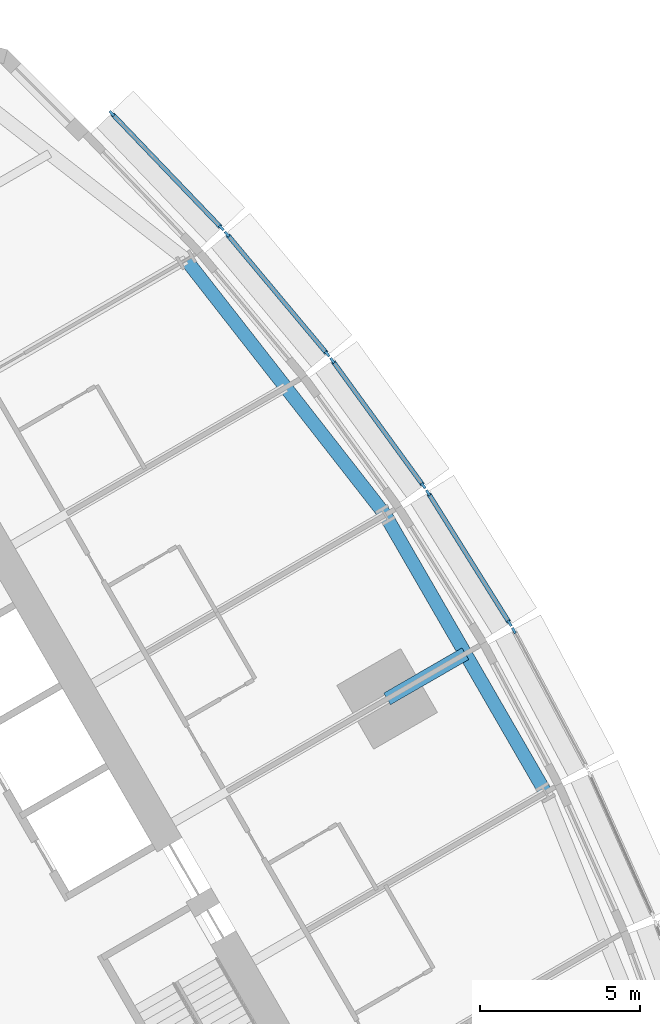
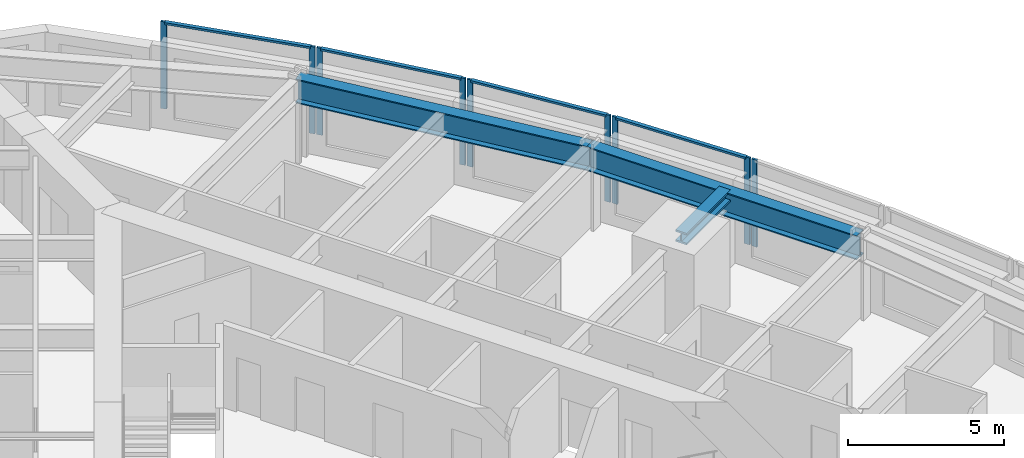
# One storey, part 5 of 14: 13 members, 3 beams, 5 elements without a shape of their own.
"""IFC4 building model written with IfcOpenShell, lengths in metres."""

import ifcopenshell
import ifcopenshell.guid

model = None  # the IFC model being written
_history = None  # IfcOwnerHistory: only IFC2X3 demands one
_inside = {}  # id of a spatial element -> (the spatial element, [elements in it])
_under = {}  # id of a project, library or spatial element -> (it, [spatial elements below it])
_declared = {}  # id of a project -> (the project, [libraries it declares])
_typed = {}  # id of a type object -> (the type object, [elements of that type])
_made_of = {}  # id of a material, layer set ... -> (it, [elements and type objects made of it])


def new_model(schema):
    """Start an empty IFC model of exactly this schema.

    Asked for "IFC4X3", IfcOpenShell would pick the latest addendum, in which some entities
    have other attributes; the version numbers below select the first issue.
    IFC2X3 requires an IfcOwnerHistory on every rooted entity: one is made here for all.
    """
    global model, _history
    if schema == "IFC4X3":
        model = ifcopenshell.file(schema_version=(4, 3, 0, 0))
    else:
        model = ifcopenshell.file(schema=schema)
    _inside.clear()
    _under.clear()
    _declared.clear()
    _typed.clear()
    _made_of.clear()
    _history = None
    if model.schema == "IFC2X3":
        org = make("IfcOrganization", Name="unknown")
        user = make(
            "IfcPersonAndOrganization",
            ThePerson=make("IfcPerson", FamilyName="unknown"),
            TheOrganization=org,
        )
        app = make(
            "IfcApplication",
            ApplicationDeveloper=org,
            Version="unknown",
            ApplicationFullName="unknown",
            ApplicationIdentifier="unknown",
        )
        _history = make(
            "IfcOwnerHistory",
            OwningUser=user,
            OwningApplication=app,
            ChangeAction="ADDED",
            CreationDate=0,
        )
    return model


def make(cls, **values):
    """One entity of the class cls with the attributes given. An attribute that is None is left unset."""
    return model.create_entity(
        cls, **{name: value for name, value in values.items() if value is not None}
    )


def rooted(cls, **values):
    """An entity with a GlobalId (a new one), such as an element, a storey or a relation."""
    return make(cls, GlobalId=ifcopenshell.guid.new(), OwnerHistory=_history, **values)


def si_unit(unit_type, name, prefix=None):
    """IfcSIUnit, for example si_unit("LENGTHUNIT", "METRE", prefix="MILLI")."""
    return make("IfcSIUnit", UnitType=unit_type, Prefix=prefix, Name=name)


def assignment(units):
    """IfcUnitAssignment: the units of a project."""
    return None if units is None else make("IfcUnitAssignment", Units=units)


def point(xyz):
    """IfcCartesianPoint."""
    return None if xyz is None else make("IfcCartesianPoint", Coordinates=xyz)


def direction(xyz):
    """IfcDirection."""
    return None if xyz is None else make("IfcDirection", DirectionRatios=xyz)


def frame(location, z_axis=None, x_axis=None):
    """IfcAxis2Placement3D, a coordinate frame: its origin and axes. An axis left out is left unset."""
    return make(
        "IfcAxis2Placement3D",
        Location=point(location),
        Axis=direction(z_axis),
        RefDirection=direction(x_axis),
    )


def frame_2d(location, x_axis=None):
    """IfcAxis2Placement2D, a coordinate frame in the plane: its origin and x axis."""
    return make(
        "IfcAxis2Placement2D", Location=point(location), RefDirection=direction(x_axis)
    )


def origin():
    """The frame at (0, 0, 0) with its axes left unset."""
    return frame((0.0, 0.0, 0.0))


def origin_2d():
    """The frame at (0, 0) in the plane with its x axis left unset."""
    return frame_2d((0.0, 0.0))


def place(relative_to, where):
    """IfcLocalPlacement: puts the frame where relative to a parent placement (None: the world)."""
    return make(
        "IfcLocalPlacement", PlacementRelTo=relative_to, RelativePlacement=where
    )


def context(
    kind, dimensions, precision=None, world=None, true_north=None, identifier=None
):
    """IfcGeometricRepresentationContext, for example the 3D "Model" context."""
    return make(
        "IfcGeometricRepresentationContext",
        ContextIdentifier=identifier,
        ContextType=kind,
        CoordinateSpaceDimension=dimensions,
        Precision=precision,
        WorldCoordinateSystem=world,
        TrueNorth=true_north,
    )


def subcontext(parent, identifier, kind, view, scale=None):
    """IfcGeometricRepresentationSubContext, for example "Body" below "Model"."""
    return make(
        "IfcGeometricRepresentationSubContext",
        ContextIdentifier=identifier,
        ContextType=kind,
        ParentContext=parent,
        TargetScale=scale,
        TargetView=view,
    )


def project(units=None, contexts=None):
    """IfcProject with its units and contexts."""
    return rooted(
        "IfcProject",
        Name="project",
        RepresentationContexts=contexts,
        UnitsInContext=assignment(units),
    )


def spatial(cls, under=None, at=None, **own):
    """A site, building, storey or space (cls), placed at a placement, below another one or the project."""
    s = rooted(cls, ObjectPlacement=at, **own)
    if under is not None:
        _under.setdefault(under.id(), (under, []))[1].append(s)
    return s


def profile(cls, at=None, kind="AREA", **sizes):
    """A parametric profile (cls). Its sizes go by their IFC names, for example OverallWidth=200.0."""
    return make(cls, ProfileType=kind, Position=at, **sizes)


def rectangle(**sizes):
    """IfcRectangleProfileDef."""
    return profile("IfcRectangleProfileDef", **sizes)


def i_section(**sizes):
    """IfcIShapeProfileDef."""
    return profile("IfcIShapeProfileDef", **sizes)


def extrude(swept, where, along, depth):
    """IfcExtrudedAreaSolid: the profile swept, set in the frame where, extruded along a direction by depth."""
    return make(
        "IfcExtrudedAreaSolid",
        SweptArea=swept,
        Position=where,
        ExtrudedDirection=direction(along),
        Depth=depth,
    )


def shape(context_of_items, identifier, shape_type, items):
    """IfcShapeRepresentation: the items that make up one representation, for example the "Body"."""
    return make(
        "IfcShapeRepresentation",
        ContextOfItems=context_of_items,
        RepresentationIdentifier=identifier,
        RepresentationType=shape_type,
        Items=items,
    )


def material(Name=None, Category=None):
    """IfcMaterial."""
    return make("IfcMaterial", Name=Name, Category=Category)


def material_profile(
    of_material, cross_section, Name=None, Category=None, Priority=None
):
    """IfcMaterialProfile: a cross section and its material."""
    return make(
        "IfcMaterialProfile",
        Name=Name,
        Material=of_material,
        Profile=cross_section,
        Priority=Priority,
        Category=Category,
    )


def profile_set(profiles, Name=None, composite=None):
    """IfcMaterialProfileSet."""
    return make(
        "IfcMaterialProfileSet",
        Name=Name,
        MaterialProfiles=profiles,
        CompositeProfile=composite,
    )


def made_of(thing, what):
    """Note that an element or type object is made of a material, layer set ...; save() writes the relation."""
    if what is not None:
        _made_of.setdefault(what.id(), (what, []))[1].append(thing)
    return thing


def type_object(cls, material=None, **own):
    """A type object (cls), such as IfcWallType, which elements share."""
    return made_of(rooted(cls, **own), material)


def element(
    cls,
    number,
    at=None,
    inside=None,
    cuts=None,
    type_object=None,
    material=None,
    context=None,
    identifier="Body",
    shape_type=None,
    held_by="IfcProductDefinitionShape",
    body=None,
    shapes=None,
    **own,
):
    """One element of the class cls, such as IfcWall. Its Tag is "e" and its number.

    at: its placement. inside: the storey or other place that contains it. cuts: it is an
    opening in that element (IfcRelVoidsElement). A single representation is given by context,
    identifier, shape_type and body (its items); several are given by shapes. held_by: the class
    of the entity that holds the representations. save() writes the other relations.
    """
    e = rooted(cls, Tag="e%d" % number, ObjectPlacement=at, **own)
    if body is not None:
        shapes = [shape(context, identifier, shape_type, body)]
    if shapes is not None:
        e.Representation = make(held_by, Representations=shapes)
    if inside is not None:
        _inside.setdefault(inside.id(), (inside, []))[1].append(e)
    if cuts is not None:
        rooted(
            "IfcRelVoidsElement", RelatingBuildingElement=cuts, RelatedOpeningElement=e
        )
    if type_object is not None:
        _typed.setdefault(type_object.id(), (type_object, []))[1].append(e)
    return made_of(e, material)


def aggregate(whole, parts):
    """IfcRelAggregates: a whole, such as a stair, and the parts it consists of."""
    return rooted("IfcRelAggregates", RelatingObject=whole, RelatedObjects=parts)


def save(model, path):
    """Write the relations noted so far, then the file.

    IfcRelAggregates (storeys below a building ...), IfcRelContainedInSpatialStructure (elements
    in a storey), IfcRelDefinesByType, IfcRelAssociatesMaterial and IfcRelDeclares: one each for
    every whole, place, type object, material and project.
    """
    for whole, parts in _under.values():
        aggregate(whole, parts)
    for where, things in _inside.values():
        rooted(
            "IfcRelContainedInSpatialStructure",
            RelatedElements=things,
            RelatingStructure=where,
        )
    for kind, things in _typed.values():
        rooted("IfcRelDefinesByType", RelatedObjects=things, RelatingType=kind)
    for what, things in _made_of.values():
        rooted("IfcRelAssociatesMaterial", RelatedObjects=things, RelatingMaterial=what)
    for by, libraries in _declared.values():
        rooted("IfcRelDeclares", RelatingContext=by, RelatedDefinitions=libraries)
    model.write(path)


model = new_model("IFC4")

# Units and contexts
model_context = context("Model", 3, precision=1e-05, world=origin(), true_north=direction((0.0, 1.0)))
body_context = subcontext(model_context, "Body", "Model", "MODEL_VIEW")
ifc_project = project(units=[si_unit("LENGTHUNIT", "METRE"), si_unit("AREAUNIT", "SQUARE_METRE"), si_unit("VOLUMEUNIT", "CUBIC_METRE"), si_unit("PLANEANGLEUNIT", "RADIAN"), si_unit("MASSUNIT", "GRAM", prefix="KILO")], contexts=[model_context])

# Site, building, storey
site_placement = place(None, origin())
site = spatial("IfcSite", under=ifc_project, at=site_placement, CompositionType="ELEMENT")
building_placement = place(site_placement, origin())
building = spatial("IfcBuilding", under=site, at=building_placement, Name="Trikona Tower", CompositionType="ELEMENT")
storey_placement = place(building_placement, frame((0.0, 0.0, 138.5)))
storey = spatial("IfcBuildingStorey", under=building, at=storey_placement, Name="L36", CompositionType="ELEMENT", Elevation=138.5)

# Curtain wall, member
ifc_material_1 = material(Name="Aluminium curtain wall system", Category="aluminium")
curtain_wall_type = type_object("IfcCurtainWallType", Name="Curtain wall DS2", PredefinedType="NOTDEFINED", material=ifc_material_1)
curtain_wall_1_placement = place(storey_placement, origin())
curtain_wall_1 = element("IfcCurtainWall", 1, at=curtain_wall_1_placement, inside=storey, type_object=curtain_wall_type, Name="Curtain wall DS2 L36", PredefinedType="NOTDEFINED")
ifc_material_2 = material(Name="Aluminium mullion, pale anodised", Category="aluminium")
ifc_material_profile_1 = material_profile(ifc_material_2, rectangle(XDim=0.080078125, YDim=0.199951171875, at=origin_2d()), Name="MUL-DS2")
ifc_profile_set_1 = profile_set([ifc_material_profile_1], Name="Aluminium mullion, pale anodised")
member_type_1 = type_object("IfcMemberType", Name="Mullion DS2 80x200", PredefinedType="MULLION", material=ifc_profile_set_1)
member_1_placement = place(storey_placement, frame((19.2666015625, 10.9716796875, 0.0), z_axis=(0.0, 0.0, 1.0), x_axis=(-0.882996107343, -0.469380308937, 0.0)))
member_1 = element("IfcMember", 2, at=member_1_placement, type_object=member_type_1, Name="CW-DS2 mullion 2", PredefinedType="MULLION", context=body_context, shape_type="SweptSolid", body=[
    extrude(rectangle(XDim=0.080078125, YDim=0.199951171875, at=origin_2d()), origin(), (0.0, 0.0, 1.0), 3.39990234375),
])
aggregate(curtain_wall_1, [member_1])

# Curtain wall, members
curtain_wall_2_placement = place(storey_placement, origin())
curtain_wall_2 = element("IfcCurtainWall", 3, at=curtain_wall_2_placement, inside=storey, type_object=curtain_wall_type, Name="Curtain wall DS2 L36", PredefinedType="NOTDEFINED")
member_2_placement = place(storey_placement, frame((19.135009765625, 11.199462890625, 0.0), z_axis=(0.0, 0.0, 1.0), x_axis=(-0.847998304006, -0.529998940002, 0.0)))
member_2 = element("IfcMember", 4, at=member_2_placement, type_object=member_type_1, Name="CW-DS2 mullion 1", PredefinedType="MULLION", context=body_context, shape_type="SweptSolid", body=[
    extrude(rectangle(XDim=0.080078125, YDim=0.199951171875, at=origin_2d()), origin(), (0.0, 0.0, 1.0), 3.39990234375),
])
member_3_placement = place(storey_placement, frame((16.589599609375, 15.2724609375, 0.0), z_axis=(0.0, 0.0, 1.0), x_axis=(-0.847998304006, -0.529998940002, 0.0)))
member_3 = element("IfcMember", 5, at=member_3_placement, type_object=member_type_1, Name="CW-DS2 mullion 2", PredefinedType="MULLION", context=body_context, shape_type="SweptSolid", body=[
    extrude(rectangle(XDim=0.080078125, YDim=0.199951171875, at=origin_2d()), origin(), (0.0, 0.0, 1.0), 3.39990234375),
])

curtain_wall_3_placement = place(storey_placement, origin())
curtain_wall_3 = element("IfcCurtainWall", 6, at=curtain_wall_3_placement, inside=storey, type_object=curtain_wall_type, Name="Curtain wall DS2 L36", PredefinedType="NOTDEFINED")
member_4_placement = place(storey_placement, frame((16.442626953125, 15.489990234375, 0.0), z_axis=(0.0, 0.0, 1.0), x_axis=(-0.80908576332, -0.587690588313, 0.0)))
member_4 = element("IfcMember", 7, at=member_4_placement, type_object=member_type_1, Name="CW-DS2 mullion 1", PredefinedType="MULLION", context=body_context, shape_type="SweptSolid", body=[
    extrude(rectangle(XDim=0.080078125, YDim=0.199951171875, at=origin_2d()), origin(), (0.0, 0.0, 1.0), 3.39990234375),
])
member_5_placement = place(storey_placement, frame((13.605712890625, 19.39599609375, 0.0), z_axis=(0.0, 0.0, 1.0), x_axis=(-0.80908576332, -0.587690588313, 0.0)))
member_5 = element("IfcMember", 8, at=member_5_placement, type_object=member_type_1, Name="CW-DS2 mullion 2", PredefinedType="MULLION", context=body_context, shape_type="SweptSolid", body=[
    extrude(rectangle(XDim=0.080078125, YDim=0.199951171875, at=origin_2d()), origin(), (0.0, 0.0, 1.0), 3.39990234375),
])

curtain_wall_4_placement = place(storey_placement, origin())
curtain_wall_4 = element("IfcCurtainWall", 9, at=curtain_wall_4_placement, inside=storey, type_object=curtain_wall_type, Name="Curtain wall DS2 L36", PredefinedType="NOTDEFINED")
member_6_placement = place(storey_placement, frame((13.44482421875, 19.602294921875, 0.0), z_axis=(0.0, 0.0, 1.0), x_axis=(-0.766866678271, -0.641806433248, 0.0)))
member_6 = element("IfcMember", 10, at=member_6_placement, type_object=member_type_1, Name="CW-DS2 mullion 1", PredefinedType="MULLION", context=body_context, shape_type="SweptSolid", body=[
    extrude(rectangle(XDim=0.080078125, YDim=0.199951171875, at=origin_2d()), origin(), (0.0, 0.0, 1.0), 3.39990234375),
])
member_7_placement = place(storey_placement, frame((10.315185546875, 23.34130859375, 0.0), z_axis=(0.0, 0.0, 1.0), x_axis=(-0.766866678271, -0.641806433248, 0.0)))
member_7 = element("IfcMember", 11, at=member_7_placement, type_object=member_type_1, Name="CW-DS2 mullion 2", PredefinedType="MULLION", context=body_context, shape_type="SweptSolid", body=[
    extrude(rectangle(XDim=0.080078125, YDim=0.199951171875, at=origin_2d()), origin(), (0.0, 0.0, 1.0), 3.39990234375),
])

curtain_wall_5_placement = place(storey_placement, origin())
curtain_wall_5 = element("IfcCurtainWall", 12, at=curtain_wall_5_placement, inside=storey, type_object=curtain_wall_type, Name="Curtain wall DS2 L36", PredefinedType="NOTDEFINED")
member_8_placement = place(storey_placement, frame((10.1416015625, 23.535400390625, 0.0), z_axis=(0.0, 0.0, 1.0), x_axis=(-0.722158330767, -0.691727797117, 0.0)))
member_8 = element("IfcMember", 13, at=member_8_placement, type_object=member_type_1, Name="CW-DS2 mullion 1", PredefinedType="MULLION", context=body_context, shape_type="SweptSolid", body=[
    extrude(rectangle(XDim=0.080078125, YDim=0.199951171875, at=origin_2d()), origin(), (0.0, 0.0, 1.0), 3.39990234375),
])
member_9_placement = place(storey_placement, frame((6.718994140625, 27.1083984375, 0.0), z_axis=(0.0, 0.0, 1.0), x_axis=(-0.722158330767, -0.691727797117, 0.0)))
member_9 = element("IfcMember", 14, at=member_9_placement, type_object=member_type_1, Name="CW-DS2 mullion 2", PredefinedType="MULLION", context=body_context, shape_type="SweptSolid", body=[
    extrude(rectangle(XDim=0.080078125, YDim=0.199951171875, at=origin_2d()), origin(), (0.0, 0.0, 1.0), 3.39990234375),
])

# Beams
ifc_material_3 = material(Name="Steel ASTM A992 Grade 50", Category="steel")
ifc_material_profile_2 = material_profile(ifc_material_3, i_section(OverallWidth=0.419189453125, OverallDepth=0.45458984375, WebThickness=0.042236328125, FlangeThickness=0.067626953125, at=origin_2d()), Name="W14X370")
ifc_profile_set_2 = profile_set([ifc_material_profile_2], Name="Steel ASTM A992 Grade 50")
beam_type_1 = type_object("IfcBeamType", Name="Steel beam W14x370 (apex bracket)", PredefinedType="BEAM", material=ifc_profile_set_2)
beam_1_placement = place(storey_placement, frame((15.311767578125, 8.84033203125, 3.0078125), z_axis=(0.86605005072, 0.499957307824, 0.0), x_axis=(-0.499957307824, 0.86605005072, 0.0)))
element("IfcBeam", 15, at=beam_1_placement, inside=storey, type_object=beam_type_1, Name="Cantilever bracket L37 F2", PredefinedType="BEAM", context=body_context, shape_type="SweptSolid", body=[
    extrude(i_section(OverallWidth=0.419189453125, OverallDepth=0.45458984375, WebThickness=0.042236328125, FlangeThickness=0.067626953125, at=origin_2d()), origin(), (0.0, 0.0, 1.0), 2.819580078125),
])
ifc_material_4 = material(Name="Steel ASTM A992 Grade 50", Category="steel")
ifc_material_profile_3 = material_profile(ifc_material_4, i_section(OverallWidth=0.424072265625, OverallDepth=0.947509765625, WebThickness=0.02392578125, FlangeThickness=0.042724609375, at=origin_2d()), Name="W36X302")
ifc_profile_set_3 = profile_set([ifc_material_profile_3], Name="Steel ASTM A992 Grade 50")
beam_type_2 = type_object("IfcBeamType", Name="Steel beam W36x302 (spandrel)", PredefinedType="SPANDREL", material=ifc_profile_set_3)
beam_2_placement = place(storey_placement, frame((20.253662109375, 5.919921875, 2.76123046875), z_axis=(-0.500004234368, 0.866022959057, 0.0), x_axis=(-0.866022959057, -0.500004234368, 0.0)))
element("IfcBeam", 16, at=beam_2_placement, inside=storey, type_object=beam_type_2, Name="Spandrel beam L37 F2-3", PredefinedType="SPANDREL", context=body_context, shape_type="SweptSolid", body=[
    extrude(i_section(OverallWidth=0.424072265625, OverallDepth=0.947509765625, WebThickness=0.02392578125, FlangeThickness=0.042724609375, at=origin_2d()), origin(), (0.0, 0.0, 1.0), 10.0),
])
beam_3_placement = place(storey_placement, frame((15.253662109375, 14.580078125, 2.76123046875), z_axis=(-0.615232009054, 0.788346101046, 0.0), x_axis=(-0.788346101046, -0.615232009054, 0.0)))
element("IfcBeam", 17, at=beam_3_placement, inside=storey, type_object=beam_type_2, Name="Spandrel beam L37 F2-4", PredefinedType="SPANDREL", context=body_context, shape_type="SweptSolid", body=[
    extrude(i_section(OverallWidth=0.424072265625, OverallDepth=0.947509765625, WebThickness=0.02392578125, FlangeThickness=0.042724609375, at=origin_2d()), origin(), (0.0, 0.0, 1.0), 10.09765625),
])

# Member
ifc_material_5 = material(Name="Aluminium transom, pale anodised", Category="aluminium")
ifc_material_profile_4 = material_profile(ifc_material_5, rectangle(XDim=0.139892578125, YDim=0.080078125, at=origin_2d()), Name="TRN-DS2")
ifc_profile_set_4 = profile_set([ifc_material_profile_4], Name="Aluminium transom, pale anodised")
member_type_2 = type_object("IfcMemberType", Name="Transom DS2 80x140", PredefinedType="USERDEFINED", material=ifc_profile_set_4)
member_10_placement = place(storey_placement, frame((19.114013671875, 11.2333984375, 3.360107421875), z_axis=(-0.530031463794, 0.847977975769, 0.0), x_axis=(-0.847977975769, -0.530031463794, 0.0)))
member_10 = element("IfcMember", 18, at=member_10_placement, type_object=member_type_2, Name="CW-DS2 transom 1.1", ObjectType="TRANSOM", PredefinedType="USERDEFINED", context=body_context, shape_type="SweptSolid", body=[
    extrude(rectangle(XDim=0.139892578125, YDim=0.080078125, at=origin_2d()), origin(), (0.0, 0.0, 1.0), 4.72314453125),
])

aggregate(curtain_wall_2, [member_2, member_3, member_10])

member_11_placement = place(storey_placement, frame((16.419189453125, 15.5224609375, 3.360107421875), z_axis=(-0.587694585883, 0.809082859616, 0.0), x_axis=(-0.809082859616, -0.587694585883, 0.0)))
member_11 = element("IfcMember", 19, at=member_11_placement, type_object=member_type_2, Name="CW-DS2 transom 1.1", ObjectType="TRANSOM", PredefinedType="USERDEFINED", context=body_context, shape_type="SweptSolid", body=[
    extrude(rectangle(XDim=0.139892578125, YDim=0.080078125, at=origin_2d()), origin(), (0.0, 0.0, 1.0), 4.747314453125),
])

aggregate(curtain_wall_3, [member_4, member_5, member_11])

member_12_placement = place(storey_placement, frame((13.4189453125, 19.6328125, 3.360107421875), z_axis=(-0.641770294892, 0.766896921753, 0.0), x_axis=(-0.766896921753, -0.641770294892, 0.0)))
member_12 = element("IfcMember", 20, at=member_12_placement, type_object=member_type_2, Name="CW-DS2 transom 1.1", ObjectType="TRANSOM", PredefinedType="USERDEFINED", context=body_context, shape_type="SweptSolid", body=[
    extrude(rectangle(XDim=0.139892578125, YDim=0.080078125, at=origin_2d()), origin(), (0.0, 0.0, 1.0), 4.7958984375),
])

aggregate(curtain_wall_4, [member_6, member_7, member_12])

member_13_placement = place(storey_placement, frame((10.114013671875, 23.564208984375, 3.360107421875), z_axis=(-0.691721246785, 0.722164605022, 0.0), x_axis=(-0.722164605022, -0.691721246785, 0.0)))
member_13 = element("IfcMember", 21, at=member_13_placement, type_object=member_type_2, Name="CW-DS2 transom 1.1", ObjectType="TRANSOM", PredefinedType="USERDEFINED", context=body_context, shape_type="SweptSolid", body=[
    extrude(rectangle(XDim=0.139892578125, YDim=0.080078125, at=origin_2d()), origin(), (0.0, 0.0, 1.0), 4.867919921875),
])

aggregate(curtain_wall_5, [member_8, member_9, member_13])

save(model, "model.ifc")
